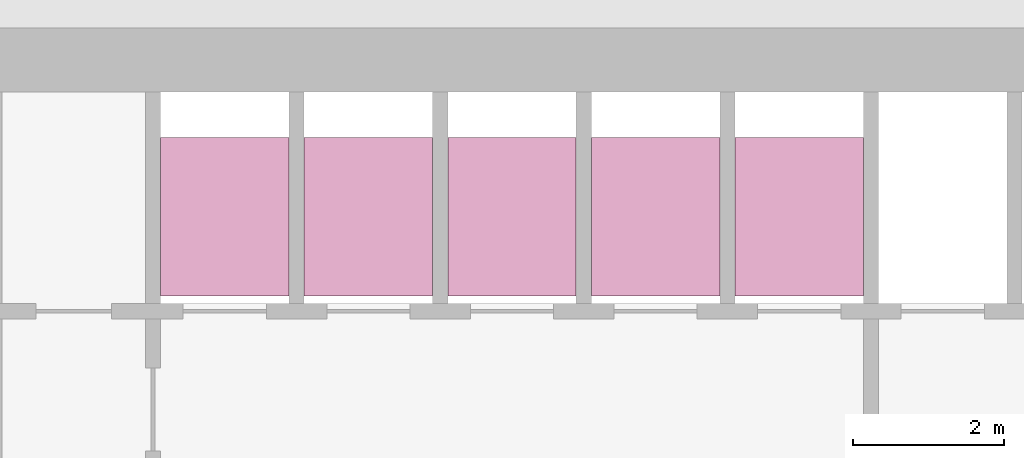
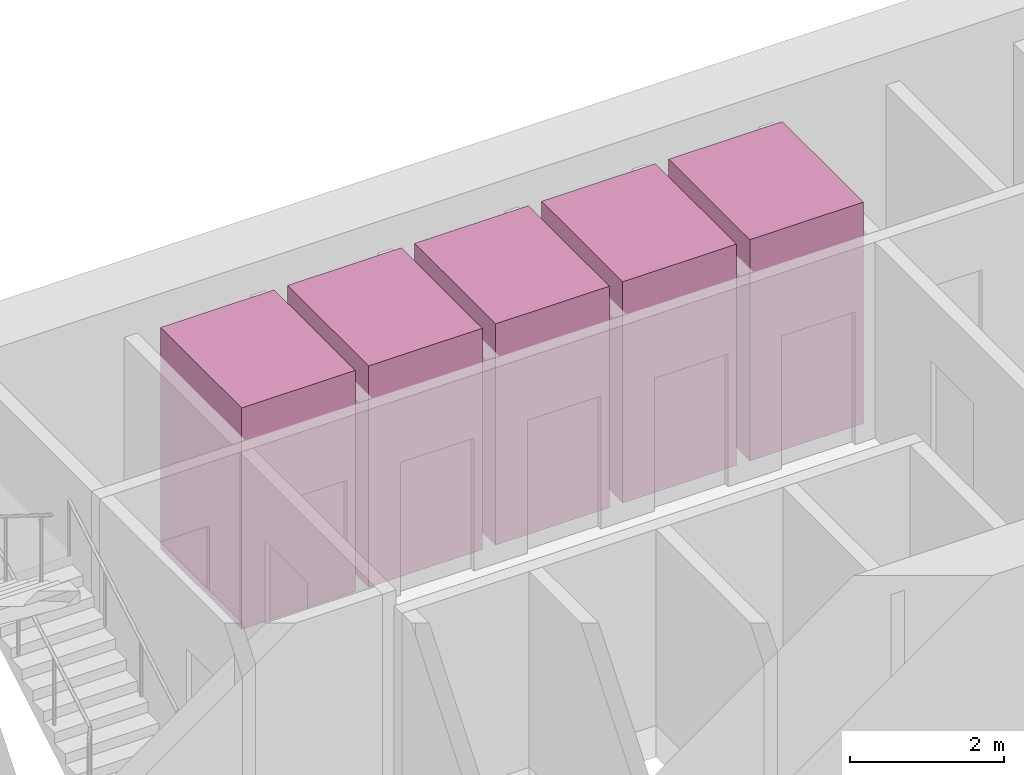
# One storey, part 14 of 14: 5 transport elements.
"""IFC4 building model written with IfcOpenShell, lengths in metres."""

from ifc_helpers import new_model, si_unit, direction, frame, origin, origin_2d, place, context, subcontext, project, spatial, rectangle, extrude, material, type_object, element, save


model = new_model("IFC4")

# Units and contexts
model_context = context("Model", 3, precision=1e-05, world=origin(), true_north=direction((0.0, 1.0)))
body_context = subcontext(model_context, "Body", "Model", "MODEL_VIEW")
ifc_project = project(units=[si_unit("LENGTHUNIT", "METRE"), si_unit("AREAUNIT", "SQUARE_METRE"), si_unit("VOLUMEUNIT", "CUBIC_METRE"), si_unit("PLANEANGLEUNIT", "RADIAN"), si_unit("MASSUNIT", "GRAM", prefix="KILO")], contexts=[model_context])

# Site, building, storey
site_placement = place(None, origin())
site = spatial("IfcSite", under=ifc_project, at=site_placement, CompositionType="ELEMENT")
building_placement = place(site_placement, origin())
building = spatial("IfcBuilding", under=site, at=building_placement, Name="Altiplano Prism Tower", CompositionType="ELEMENT")
storey_placement = place(building_placement, frame((0.0, 0.0, 108.0)))
storey = spatial("IfcBuildingStorey", under=building, at=storey_placement, Name="L27", CompositionType="ELEMENT", Elevation=108.0)

# Transport elements
ifc_material = material(Name="Stainless steel lift car", Category="steel")
transport_element_type = type_object("IfcTransportElementType", Name="Passenger lift car 1600 x 2100", PredefinedType="ELEVATOR", material=ifc_material)
for number, where, z_axis, x_axis, name in (
    (1, (79.050048828125, 101.75, 0.050048828125), (0.0, 0.0, 1.0), (1.0, 0.0, 0.0), "Low Zone Passenger Lift 1"),
    (2, (80.949951171875, 101.75, 0.050048828125), (0.0, 0.0, 1.0), (1.0, 0.0, 0.0), "Low Zone Passenger Lift 2"),
    (3, (82.85009765625, 101.75, 0.050048828125), (0.0, 0.0, 1.0), (1.0, 0.0, 0.0), "Low Zone Passenger Lift 3"),
    (4, (84.75, 101.75, 0.050048828125), (0.0, 0.0, 1.0), (1.0, 0.0, 0.0), "Low Zone Passenger Lift 4"),
    (5, (86.64990234375, 101.75, 0.050048828125), (0.0, 0.0, 1.0), (1.0, 0.0, 0.0), "Low Zone Passenger Lift 5"),
):
    element("IfcTransportElement", number, at=place(storey_placement, frame(where, z_axis=z_axis, x_axis=x_axis)), inside=storey, type_object=transport_element_type, Name=name, PredefinedType="ELEVATOR", context=body_context, shape_type="SweptSolid", body=[
        extrude(rectangle(XDim=1.699951171875, YDim=2.10009765625, at=origin_2d()), origin(), (0.0, 0.0, 1.0), 3.5),
    ])

save(model, "model.ifc")
